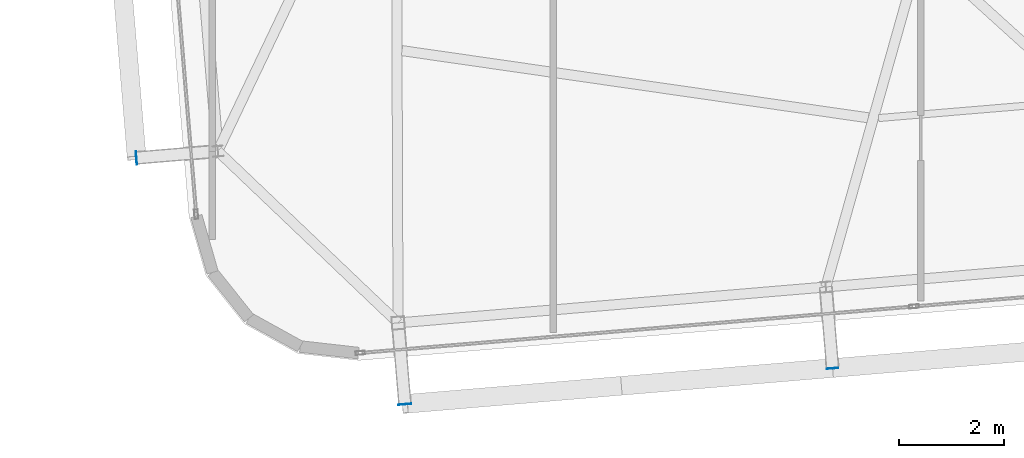
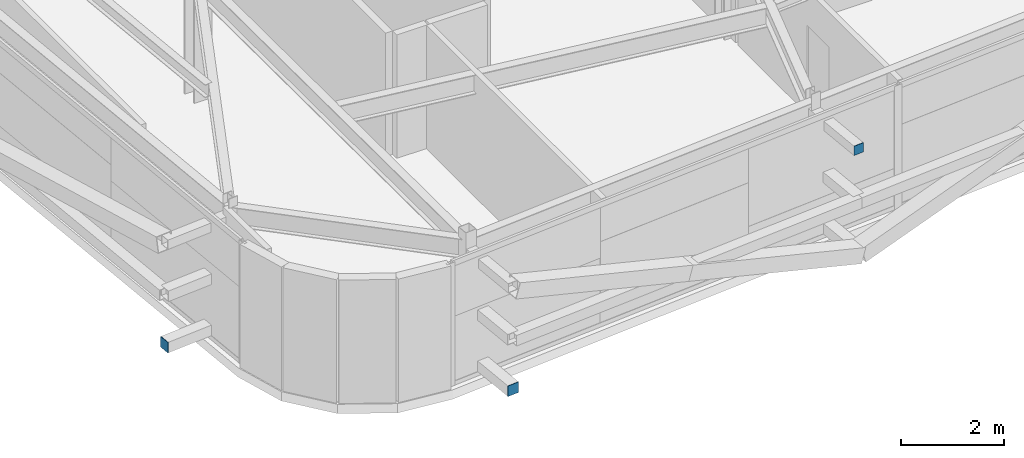
# One storey, part 27 of 39: 3 plates.
"""IFC4 building model written with IfcOpenShell, lengths in metres."""

import ifcopenshell
import ifcopenshell.guid

model = None  # the IFC model being written
_history = None  # IfcOwnerHistory: only IFC2X3 demands one
_inside = {}  # id of a spatial element -> (the spatial element, [elements in it])
_under = {}  # id of a project, library or spatial element -> (it, [spatial elements below it])
_declared = {}  # id of a project -> (the project, [libraries it declares])
_typed = {}  # id of a type object -> (the type object, [elements of that type])
_made_of = {}  # id of a material, layer set ... -> (it, [elements and type objects made of it])


def new_model(schema):
    """Start an empty IFC model of exactly this schema.

    Asked for "IFC4X3", IfcOpenShell would pick the latest addendum, in which some entities
    have other attributes; the version numbers below select the first issue.
    IFC2X3 requires an IfcOwnerHistory on every rooted entity: one is made here for all.
    """
    global model, _history
    if schema == "IFC4X3":
        model = ifcopenshell.file(schema_version=(4, 3, 0, 0))
    else:
        model = ifcopenshell.file(schema=schema)
    _inside.clear()
    _under.clear()
    _declared.clear()
    _typed.clear()
    _made_of.clear()
    _history = None
    if model.schema == "IFC2X3":
        org = make("IfcOrganization", Name="unknown")
        user = make(
            "IfcPersonAndOrganization",
            ThePerson=make("IfcPerson", FamilyName="unknown"),
            TheOrganization=org,
        )
        app = make(
            "IfcApplication",
            ApplicationDeveloper=org,
            Version="unknown",
            ApplicationFullName="unknown",
            ApplicationIdentifier="unknown",
        )
        _history = make(
            "IfcOwnerHistory",
            OwningUser=user,
            OwningApplication=app,
            ChangeAction="ADDED",
            CreationDate=0,
        )
    return model


def make(cls, **values):
    """One entity of the class cls with the attributes given. An attribute that is None is left unset."""
    return model.create_entity(
        cls, **{name: value for name, value in values.items() if value is not None}
    )


def rooted(cls, **values):
    """An entity with a GlobalId (a new one), such as an element, a storey or a relation."""
    return make(cls, GlobalId=ifcopenshell.guid.new(), OwnerHistory=_history, **values)


def si_unit(unit_type, name, prefix=None):
    """IfcSIUnit, for example si_unit("LENGTHUNIT", "METRE", prefix="MILLI")."""
    return make("IfcSIUnit", UnitType=unit_type, Prefix=prefix, Name=name)


def assignment(units):
    """IfcUnitAssignment: the units of a project."""
    return None if units is None else make("IfcUnitAssignment", Units=units)


def point(xyz):
    """IfcCartesianPoint."""
    return None if xyz is None else make("IfcCartesianPoint", Coordinates=xyz)


def direction(xyz):
    """IfcDirection."""
    return None if xyz is None else make("IfcDirection", DirectionRatios=xyz)


def frame(location, z_axis=None, x_axis=None):
    """IfcAxis2Placement3D, a coordinate frame: its origin and axes. An axis left out is left unset."""
    return make(
        "IfcAxis2Placement3D",
        Location=point(location),
        Axis=direction(z_axis),
        RefDirection=direction(x_axis),
    )


def frame_2d(location, x_axis=None):
    """IfcAxis2Placement2D, a coordinate frame in the plane: its origin and x axis."""
    return make(
        "IfcAxis2Placement2D", Location=point(location), RefDirection=direction(x_axis)
    )


def origin():
    """The frame at (0, 0, 0) with its axes left unset."""
    return frame((0.0, 0.0, 0.0))


def origin_2d():
    """The frame at (0, 0) in the plane with its x axis left unset."""
    return frame_2d((0.0, 0.0))


def place(relative_to, where):
    """IfcLocalPlacement: puts the frame where relative to a parent placement (None: the world)."""
    return make(
        "IfcLocalPlacement", PlacementRelTo=relative_to, RelativePlacement=where
    )


def context(
    kind, dimensions, precision=None, world=None, true_north=None, identifier=None
):
    """IfcGeometricRepresentationContext, for example the 3D "Model" context."""
    return make(
        "IfcGeometricRepresentationContext",
        ContextIdentifier=identifier,
        ContextType=kind,
        CoordinateSpaceDimension=dimensions,
        Precision=precision,
        WorldCoordinateSystem=world,
        TrueNorth=true_north,
    )


def subcontext(parent, identifier, kind, view, scale=None):
    """IfcGeometricRepresentationSubContext, for example "Body" below "Model"."""
    return make(
        "IfcGeometricRepresentationSubContext",
        ContextIdentifier=identifier,
        ContextType=kind,
        ParentContext=parent,
        TargetScale=scale,
        TargetView=view,
    )


def project(units=None, contexts=None):
    """IfcProject with its units and contexts."""
    return rooted(
        "IfcProject",
        Name="project",
        RepresentationContexts=contexts,
        UnitsInContext=assignment(units),
    )


def spatial(cls, under=None, at=None, **own):
    """A site, building, storey or space (cls), placed at a placement, below another one or the project."""
    s = rooted(cls, ObjectPlacement=at, **own)
    if under is not None:
        _under.setdefault(under.id(), (under, []))[1].append(s)
    return s


def profile(cls, at=None, kind="AREA", **sizes):
    """A parametric profile (cls). Its sizes go by their IFC names, for example OverallWidth=200.0."""
    return make(cls, ProfileType=kind, Position=at, **sizes)


def rectangle(**sizes):
    """IfcRectangleProfileDef."""
    return profile("IfcRectangleProfileDef", **sizes)


def extrude(swept, where, along, depth):
    """IfcExtrudedAreaSolid: the profile swept, set in the frame where, extruded along a direction by depth."""
    return make(
        "IfcExtrudedAreaSolid",
        SweptArea=swept,
        Position=where,
        ExtrudedDirection=direction(along),
        Depth=depth,
    )


def shape(context_of_items, identifier, shape_type, items):
    """IfcShapeRepresentation: the items that make up one representation, for example the "Body"."""
    return make(
        "IfcShapeRepresentation",
        ContextOfItems=context_of_items,
        RepresentationIdentifier=identifier,
        RepresentationType=shape_type,
        Items=items,
    )


def source(mapping_origin, context_of_items, identifier, shape_type, items):
    """IfcRepresentationMap: a shape defined once, which mapped items show again and again."""
    return make(
        "IfcRepresentationMap",
        MappingOrigin=mapping_origin,
        MappedRepresentation=shape(context_of_items, identifier, shape_type, items),
    )


def transform(
    local_origin,
    x_axis=None,
    y_axis=None,
    z_axis=None,
    scale=None,
    scale2=None,
    scale3=None,
    uniform=True,
):
    """IfcCartesianTransformationOperator3D, or its non-uniform kind. x_axis, y_axis, z_axis: its Axis1, 2, 3."""
    if uniform:
        return make(
            "IfcCartesianTransformationOperator3D",
            Axis1=direction(x_axis),
            Axis2=direction(y_axis),
            LocalOrigin=point(local_origin),
            Scale=scale,
            Axis3=direction(z_axis),
        )
    return make(
        "IfcCartesianTransformationOperator3DnonUniform",
        Axis1=direction(x_axis),
        Axis2=direction(y_axis),
        LocalOrigin=point(local_origin),
        Scale=scale,
        Axis3=direction(z_axis),
        Scale2=scale2,
        Scale3=scale3,
    )


def mapped(mapping_source, mapping_target):
    """IfcMappedItem: shows the shape of a source again, moved by a transform."""
    return make(
        "IfcMappedItem", MappingSource=mapping_source, MappingTarget=mapping_target
    )


def material(Name=None, Category=None):
    """IfcMaterial."""
    return make("IfcMaterial", Name=Name, Category=Category)


def layer(
    of_material, thickness, ventilated=None, Name=None, Category=None, Priority=None
):
    """IfcMaterialLayer: one layer of a wall or slab, of a material (None: an air gap)."""
    return make(
        "IfcMaterialLayer",
        Material=of_material,
        LayerThickness=thickness,
        IsVentilated=ventilated,
        Name=Name,
        Category=Category,
        Priority=Priority,
    )


def layer_set(layers, Name=None):
    """IfcMaterialLayerSet."""
    return make("IfcMaterialLayerSet", MaterialLayers=layers, LayerSetName=Name)


def made_of(thing, what):
    """Note that an element or type object is made of a material, layer set ...; save() writes the relation."""
    if what is not None:
        _made_of.setdefault(what.id(), (what, []))[1].append(thing)
    return thing


def type_object(cls, material=None, **own):
    """A type object (cls), such as IfcWallType, which elements share."""
    return made_of(rooted(cls, **own), material)


def element(
    cls,
    number,
    at=None,
    inside=None,
    cuts=None,
    type_object=None,
    material=None,
    context=None,
    identifier="Body",
    shape_type=None,
    held_by="IfcProductDefinitionShape",
    body=None,
    shapes=None,
    **own,
):
    """One element of the class cls, such as IfcWall. Its Tag is "e" and its number.

    at: its placement. inside: the storey or other place that contains it. cuts: it is an
    opening in that element (IfcRelVoidsElement). A single representation is given by context,
    identifier, shape_type and body (its items); several are given by shapes. held_by: the class
    of the entity that holds the representations. save() writes the other relations.
    """
    e = rooted(cls, Tag="e%d" % number, ObjectPlacement=at, **own)
    if body is not None:
        shapes = [shape(context, identifier, shape_type, body)]
    if shapes is not None:
        e.Representation = make(held_by, Representations=shapes)
    if inside is not None:
        _inside.setdefault(inside.id(), (inside, []))[1].append(e)
    if cuts is not None:
        rooted(
            "IfcRelVoidsElement", RelatingBuildingElement=cuts, RelatedOpeningElement=e
        )
    if type_object is not None:
        _typed.setdefault(type_object.id(), (type_object, []))[1].append(e)
    return made_of(e, material)


def aggregate(whole, parts):
    """IfcRelAggregates: a whole, such as a stair, and the parts it consists of."""
    return rooted("IfcRelAggregates", RelatingObject=whole, RelatedObjects=parts)


def save(model, path):
    """Write the relations noted so far, then the file.

    IfcRelAggregates (storeys below a building ...), IfcRelContainedInSpatialStructure (elements
    in a storey), IfcRelDefinesByType, IfcRelAssociatesMaterial and IfcRelDeclares: one each for
    every whole, place, type object, material and project.
    """
    for whole, parts in _under.values():
        aggregate(whole, parts)
    for where, things in _inside.values():
        rooted(
            "IfcRelContainedInSpatialStructure",
            RelatedElements=things,
            RelatingStructure=where,
        )
    for kind, things in _typed.values():
        rooted("IfcRelDefinesByType", RelatedObjects=things, RelatingType=kind)
    for what, things in _made_of.values():
        rooted("IfcRelAssociatesMaterial", RelatedObjects=things, RelatingMaterial=what)
    for by, libraries in _declared.values():
        rooted("IfcRelDeclares", RelatingContext=by, RelatedDefinitions=libraries)
    model.write(path)


model = new_model("IFC4")

# Units and contexts
model_context = context("Model", 3, precision=1e-05, world=origin(), true_north=direction((0.0, 1.0)))
body_context = subcontext(model_context, "Body", "Model", "MODEL_VIEW")
ifc_project = project(units=[si_unit("LENGTHUNIT", "METRE"), si_unit("AREAUNIT", "SQUARE_METRE"), si_unit("VOLUMEUNIT", "CUBIC_METRE"), si_unit("PLANEANGLEUNIT", "RADIAN"), si_unit("MASSUNIT", "GRAM", prefix="KILO")], contexts=[model_context])

# Site, building, storey
site_placement = place(None, origin())
site = spatial("IfcSite", under=ifc_project, at=site_placement, CompositionType="ELEMENT")
building_placement = place(site_placement, origin())
building = spatial("IfcBuilding", under=site, at=building_placement, Name="Taldren Reach Tower", CompositionType="ELEMENT")
storey_placement = place(building_placement, frame((0.0, 0.0, 175.699951171875)))
storey = spatial("IfcBuildingStorey", under=building, at=storey_placement, Name="L53", CompositionType="ELEMENT", Elevation=175.699951171875)

# Plates
ifc_material_1 = material(Name="Steel Gr 350 (C350L0)", Category="steel")
ifc_layer_1 = layer(ifc_material_1, 0.011962890625)
ifc_layer_set_1 = layer_set([ifc_layer_1], Name="Steel Gr 350 (C350L0)")
plate_type_1 = type_object("IfcPlateType", Name="PL-CAP-250", PredefinedType="SHEET", material=ifc_layer_set_1)
shared_shape_1 = source(origin(), body_context, "Body", "SweptSolid", [
    extrude(rectangle(XDim=0.25, YDim=0.011962890625, at=origin_2d()), origin(), (0.0, 0.0, 1.0), 0.25),
])
plate_1_placement = place(storey_placement, frame((18.169921875, 0.54345703125, 0.094970703125), z_axis=(0.0, 0.0, 1.0), x_axis=(0.99649285925, 0.083677843332, 0.0)))
element("IfcPlate", 1, at=plate_1_placement, inside=storey, type_object=plate_type_1, Name="Tie strut end cap plate B4-S1 L53", PredefinedType="SHEET", context=body_context, shape_type="MappedRepresentation", body=[
    mapped(shared_shape_1, transform((0.0, 0.0, 0.0), scale=1.0)),
])
shared_shape_2 = source(origin(), body_context, "Body", "SweptSolid", [
    extrude(rectangle(XDim=0.011962890625, YDim=0.25, at=origin_2d()), origin(), (0.0, 0.0, 1.0), 0.25),
])
plate_2_placement = place(storey_placement, frame((13.052978515625, 5.23779296875, 0.094970703125), z_axis=(0.0, 0.0, 1.0), x_axis=(0.99649285925, 0.083677843332, 0.0)))
element("IfcPlate", 2, at=plate_2_placement, inside=storey, type_object=plate_type_1, Name="Tie strut end cap plate B4-W1 L53", PredefinedType="SHEET", context=body_context, shape_type="MappedRepresentation", body=[
    mapped(shared_shape_2, transform((0.0, 0.0, 0.0), scale=1.0)),
])
ifc_material_2 = material(Name="Steel Gr 450 (C450L0)", Category="steel")
ifc_layer_2 = layer(ifc_material_2, 0.011962890625)
ifc_layer_set_2 = layer_set([ifc_layer_2], Name="Steel Gr 450 (C450L0)")
plate_type_2 = type_object("IfcPlateType", Name="PL-CAP-220", PredefinedType="SHEET", material=ifc_layer_set_2)
shared_shape_3 = source(origin(), body_context, "Body", "SweptSolid", [
    extrude(rectangle(XDim=0.219970703125, YDim=0.011962890625, at=origin_2d()), origin(), (0.0, 0.0, 1.0), 0.219970703125),
])
plate_3_placement = place(storey_placement, frame((26.321044921875, 1.22802734375, 2.5400390625), z_axis=(0.0, 0.0, 1.0), x_axis=(0.99649285925, 0.083677843332, 0.0)))
element("IfcPlate", 3, at=plate_3_placement, inside=storey, type_object=plate_type_2, Name="Tie strut end cap plate B4-S2 L53", PredefinedType="SHEET", context=body_context, shape_type="MappedRepresentation", body=[
    mapped(shared_shape_3, transform((0.0, 0.0, 0.0), scale=1.0)),
])

save(model, "model.ifc")
